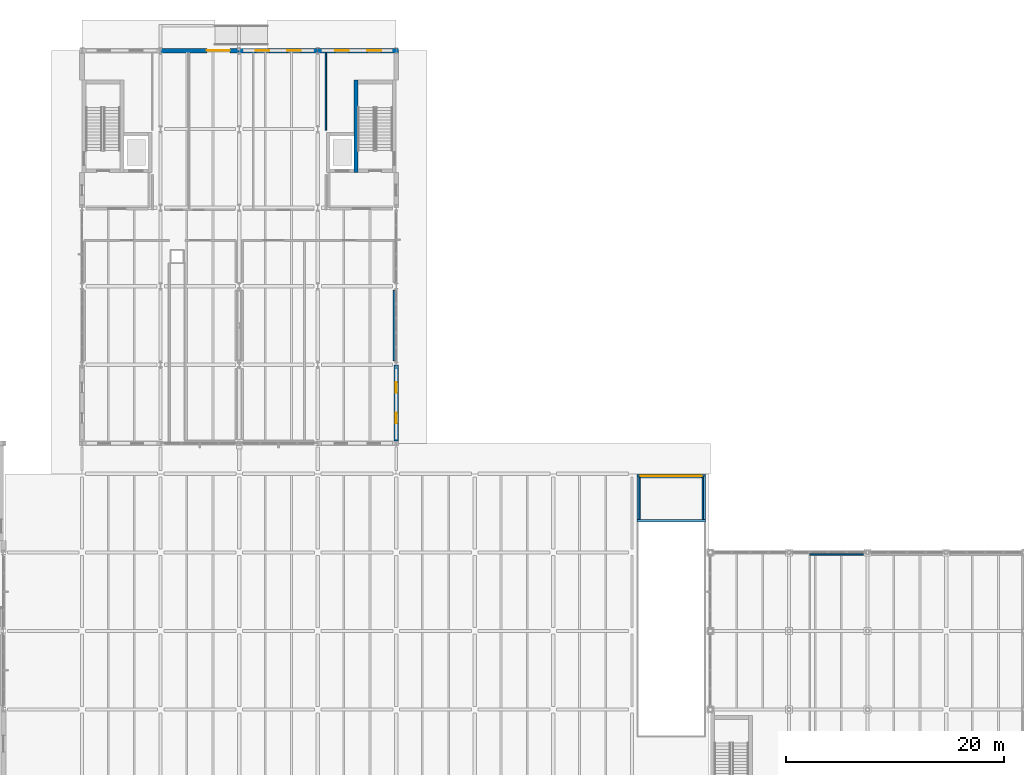
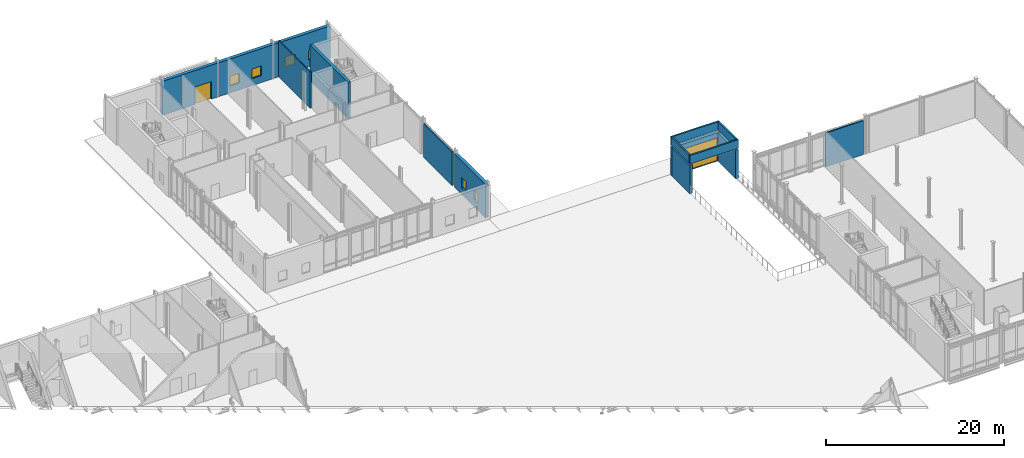
# One storey, part 69 of 89: 15 walls, 6 windows, 2 doors, 8 openings.
"""IFC4 building model written with IfcOpenShell, lengths in metres."""

import ifcopenshell
import ifcopenshell.guid

model = None  # the IFC model being written
_history = None  # IfcOwnerHistory: only IFC2X3 demands one
_inside = {}  # id of a spatial element -> (the spatial element, [elements in it])
_under = {}  # id of a project, library or spatial element -> (it, [spatial elements below it])
_declared = {}  # id of a project -> (the project, [libraries it declares])
_typed = {}  # id of a type object -> (the type object, [elements of that type])
_made_of = {}  # id of a material, layer set ... -> (it, [elements and type objects made of it])


def new_model(schema):
    """Start an empty IFC model of exactly this schema.

    Asked for "IFC4X3", IfcOpenShell would pick the latest addendum, in which some entities
    have other attributes; the version numbers below select the first issue.
    IFC2X3 requires an IfcOwnerHistory on every rooted entity: one is made here for all.
    """
    global model, _history
    if schema == "IFC4X3":
        model = ifcopenshell.file(schema_version=(4, 3, 0, 0))
    else:
        model = ifcopenshell.file(schema=schema)
    _inside.clear()
    _under.clear()
    _declared.clear()
    _typed.clear()
    _made_of.clear()
    _history = None
    if model.schema == "IFC2X3":
        org = make("IfcOrganization", Name="unknown")
        user = make(
            "IfcPersonAndOrganization",
            ThePerson=make("IfcPerson", FamilyName="unknown"),
            TheOrganization=org,
        )
        app = make(
            "IfcApplication",
            ApplicationDeveloper=org,
            Version="unknown",
            ApplicationFullName="unknown",
            ApplicationIdentifier="unknown",
        )
        _history = make(
            "IfcOwnerHistory",
            OwningUser=user,
            OwningApplication=app,
            ChangeAction="ADDED",
            CreationDate=0,
        )
    return model


def make(cls, **values):
    """One entity of the class cls with the attributes given. An attribute that is None is left unset."""
    return model.create_entity(
        cls, **{name: value for name, value in values.items() if value is not None}
    )


def rooted(cls, **values):
    """An entity with a GlobalId (a new one), such as an element, a storey or a relation."""
    return make(cls, GlobalId=ifcopenshell.guid.new(), OwnerHistory=_history, **values)


def si_unit(unit_type, name, prefix=None):
    """IfcSIUnit, for example si_unit("LENGTHUNIT", "METRE", prefix="MILLI")."""
    return make("IfcSIUnit", UnitType=unit_type, Prefix=prefix, Name=name)


def assignment(units):
    """IfcUnitAssignment: the units of a project."""
    return None if units is None else make("IfcUnitAssignment", Units=units)


def point(xyz):
    """IfcCartesianPoint."""
    return None if xyz is None else make("IfcCartesianPoint", Coordinates=xyz)


def direction(xyz):
    """IfcDirection."""
    return None if xyz is None else make("IfcDirection", DirectionRatios=xyz)


def frame(location, z_axis=None, x_axis=None):
    """IfcAxis2Placement3D, a coordinate frame: its origin and axes. An axis left out is left unset."""
    return make(
        "IfcAxis2Placement3D",
        Location=point(location),
        Axis=direction(z_axis),
        RefDirection=direction(x_axis),
    )


def frame_2d(location, x_axis=None):
    """IfcAxis2Placement2D, a coordinate frame in the plane: its origin and x axis."""
    return make(
        "IfcAxis2Placement2D", Location=point(location), RefDirection=direction(x_axis)
    )


def origin():
    """The frame at (0, 0, 0) with its axes left unset."""
    return frame((0.0, 0.0, 0.0))


def place(relative_to, where):
    """IfcLocalPlacement: puts the frame where relative to a parent placement (None: the world)."""
    return make(
        "IfcLocalPlacement", PlacementRelTo=relative_to, RelativePlacement=where
    )


def context(
    kind, dimensions, precision=None, world=None, true_north=None, identifier=None
):
    """IfcGeometricRepresentationContext, for example the 3D "Model" context."""
    return make(
        "IfcGeometricRepresentationContext",
        ContextIdentifier=identifier,
        ContextType=kind,
        CoordinateSpaceDimension=dimensions,
        Precision=precision,
        WorldCoordinateSystem=world,
        TrueNorth=true_north,
    )


def subcontext(parent, identifier, kind, view, scale=None):
    """IfcGeometricRepresentationSubContext, for example "Body" below "Model"."""
    return make(
        "IfcGeometricRepresentationSubContext",
        ContextIdentifier=identifier,
        ContextType=kind,
        ParentContext=parent,
        TargetScale=scale,
        TargetView=view,
    )


def project(units=None, contexts=None):
    """IfcProject with its units and contexts."""
    return rooted(
        "IfcProject",
        Name="project",
        RepresentationContexts=contexts,
        UnitsInContext=assignment(units),
    )


def spatial(cls, under=None, at=None, **own):
    """A site, building, storey or space (cls), placed at a placement, below another one or the project."""
    s = rooted(cls, ObjectPlacement=at, **own)
    if under is not None:
        _under.setdefault(under.id(), (under, []))[1].append(s)
    return s


def profile(cls, at=None, kind="AREA", **sizes):
    """A parametric profile (cls). Its sizes go by their IFC names, for example OverallWidth=200.0."""
    return make(cls, ProfileType=kind, Position=at, **sizes)


def rectangle(**sizes):
    """IfcRectangleProfileDef."""
    return profile("IfcRectangleProfileDef", **sizes)


def extrude(swept, where, along, depth):
    """IfcExtrudedAreaSolid: the profile swept, set in the frame where, extruded along a direction by depth."""
    return make(
        "IfcExtrudedAreaSolid",
        SweptArea=swept,
        Position=where,
        ExtrudedDirection=direction(along),
        Depth=depth,
    )


def shape(context_of_items, identifier, shape_type, items):
    """IfcShapeRepresentation: the items that make up one representation, for example the "Body"."""
    return make(
        "IfcShapeRepresentation",
        ContextOfItems=context_of_items,
        RepresentationIdentifier=identifier,
        RepresentationType=shape_type,
        Items=items,
    )


def material(Name=None, Category=None):
    """IfcMaterial."""
    return make("IfcMaterial", Name=Name, Category=Category)


def layer(
    of_material, thickness, ventilated=None, Name=None, Category=None, Priority=None
):
    """IfcMaterialLayer: one layer of a wall or slab, of a material (None: an air gap)."""
    return make(
        "IfcMaterialLayer",
        Material=of_material,
        LayerThickness=thickness,
        IsVentilated=ventilated,
        Name=Name,
        Category=Category,
        Priority=Priority,
    )


def layer_set(layers, Name=None):
    """IfcMaterialLayerSet."""
    return make("IfcMaterialLayerSet", MaterialLayers=layers, LayerSetName=Name)


def made_of(thing, what):
    """Note that an element or type object is made of a material, layer set ...; save() writes the relation."""
    if what is not None:
        _made_of.setdefault(what.id(), (what, []))[1].append(thing)
    return thing


def type_object(cls, material=None, **own):
    """A type object (cls), such as IfcWallType, which elements share."""
    return made_of(rooted(cls, **own), material)


def element(
    cls,
    number,
    at=None,
    inside=None,
    cuts=None,
    type_object=None,
    material=None,
    context=None,
    identifier="Body",
    shape_type=None,
    held_by="IfcProductDefinitionShape",
    body=None,
    shapes=None,
    **own,
):
    """One element of the class cls, such as IfcWall. Its Tag is "e" and its number.

    at: its placement. inside: the storey or other place that contains it. cuts: it is an
    opening in that element (IfcRelVoidsElement). A single representation is given by context,
    identifier, shape_type and body (its items); several are given by shapes. held_by: the class
    of the entity that holds the representations. save() writes the other relations.
    """
    e = rooted(cls, Tag="e%d" % number, ObjectPlacement=at, **own)
    if body is not None:
        shapes = [shape(context, identifier, shape_type, body)]
    if shapes is not None:
        e.Representation = make(held_by, Representations=shapes)
    if inside is not None:
        _inside.setdefault(inside.id(), (inside, []))[1].append(e)
    if cuts is not None:
        rooted(
            "IfcRelVoidsElement", RelatingBuildingElement=cuts, RelatedOpeningElement=e
        )
    if type_object is not None:
        _typed.setdefault(type_object.id(), (type_object, []))[1].append(e)
    return made_of(e, material)


def fill(opening, filler):
    """IfcRelFillsElement: the door or window that sits in an opening."""
    return rooted(
        "IfcRelFillsElement",
        RelatingOpeningElement=opening,
        RelatedBuildingElement=filler,
    )


def aggregate(whole, parts):
    """IfcRelAggregates: a whole, such as a stair, and the parts it consists of."""
    return rooted("IfcRelAggregates", RelatingObject=whole, RelatedObjects=parts)


def save(model, path):
    """Write the relations noted so far, then the file.

    IfcRelAggregates (storeys below a building ...), IfcRelContainedInSpatialStructure (elements
    in a storey), IfcRelDefinesByType, IfcRelAssociatesMaterial and IfcRelDeclares: one each for
    every whole, place, type object, material and project.
    """
    for whole, parts in _under.values():
        aggregate(whole, parts)
    for where, things in _inside.values():
        rooted(
            "IfcRelContainedInSpatialStructure",
            RelatedElements=things,
            RelatingStructure=where,
        )
    for kind, things in _typed.values():
        rooted("IfcRelDefinesByType", RelatedObjects=things, RelatingType=kind)
    for what, things in _made_of.values():
        rooted("IfcRelAssociatesMaterial", RelatedObjects=things, RelatingMaterial=what)
    for by, libraries in _declared.values():
        rooted("IfcRelDeclares", RelatingContext=by, RelatedDefinitions=libraries)
    model.write(path)


model = new_model("IFC4")

# Units and contexts
model_context = context("Model", 3, precision=1e-05, world=origin(), true_north=direction((0.0, 1.0)))
body_context = subcontext(model_context, "Body", "Model", "MODEL_VIEW")
ifc_project = project(units=[si_unit("LENGTHUNIT", "METRE"), si_unit("AREAUNIT", "SQUARE_METRE"), si_unit("VOLUMEUNIT", "CUBIC_METRE"), si_unit("PLANEANGLEUNIT", "RADIAN"), si_unit("MASSUNIT", "GRAM", prefix="KILO")], contexts=[model_context])

# Site, building, storey
site_placement = place(None, origin())
site = spatial("IfcSite", under=ifc_project, at=site_placement, CompositionType="ELEMENT")
building_placement = place(site_placement, origin())
building = spatial("IfcBuilding", under=site, at=building_placement, Name="Zarrinpeak Specialist Clinic", CompositionType="ELEMENT")
storey_placement = place(building_placement, origin())
storey = spatial("IfcBuildingStorey", under=building, at=storey_placement, Name="L00", CompositionType="ELEMENT", Elevation=0.0)

# Walls
ifc_material_1 = material(Name="Concrete C40/50", Category="concrete")
ifc_layer_1 = layer(ifc_material_1, 0.35009765625)
ifc_layer_set_1 = layer_set([ifc_layer_1], Name="Concrete C40/50")
wall_type_1 = type_object("IfcWallType", Name="WL-CR350", PredefinedType="SHEAR", material=ifc_layer_set_1)
wall_1_placement = place(storey_placement, frame((61.125, 106.800048828125, 0.0), z_axis=(0.0, 0.0, 1.0), x_axis=(0.0, 1.0, 0.0)))
element("IfcWall", 1, at=wall_1_placement, inside=storey, type_object=wall_type_1, Name="L00 Core C12 Shear Wall STW", PredefinedType="SHEAR", context=body_context, shape_type="SweptSolid", body=[
    extrude(rectangle(XDim=8.5, YDim=0.35009765625, at=frame_2d((4.25, 0.0))), origin(), (0.0, 0.0, 1.0), 4.969970703125),
])
ifc_material_2 = material(Name="Precast concrete C40/50", Category="concrete")
ifc_layer_2 = layer(ifc_material_2, 0.340087890625)
ifc_layer_set_2 = layer_set([ifc_layer_2], Name="Precast concrete C40/50")
wall_type_2 = type_object("IfcWallType", Name="WL-EW340", PredefinedType="STANDARD", material=ifc_layer_set_2)
for number, where, z_axis, x_axis, name in (
    (2, (87.02490234375, 74.800048828125, 0.0), (0.0, 0.0, 1.0), (0.0, 1.0, 0.0), "Vehicle Ramp Headhouse West Wall"),
    (3, (92.97509765625, 74.800048828125, 0.0), (0.0, 0.0, 1.0), (0.0, 1.0, 0.0), "Vehicle Ramp Headhouse East Wall"),
):
    element("IfcWall", number, at=place(storey_placement, frame(where, z_axis=z_axis, x_axis=x_axis)), inside=storey, type_object=wall_type_2, Name=name, PredefinedType="STANDARD", context=body_context, shape_type="SweptSolid", body=[
        extrude(rectangle(XDim=4.010009765625, YDim=0.340087890625, at=frame_2d((2.0048828125, 0.0))), origin(), (0.0, 0.0, 1.0), 3.89990234375),
    ])

# Wall, opening, door
ifc_layer_3 = layer(ifc_material_2, 0.3798828125)
ifc_layer_set_3 = layer_set([ifc_layer_3], Name="Precast concrete C40/50")
wall_type_3 = type_object("IfcWallType", Name="WL-EW380", PredefinedType="STANDARD", material=ifc_layer_set_3)
wall_2_placement = place(storey_placement, frame((86.85498046875, 79.0, 0.0), z_axis=(0.0, 0.0, 1.0), x_axis=(1.0, 0.0, 0.0)))
wall_2 = element("IfcWall", 4, at=wall_2_placement, inside=storey, type_object=wall_type_3, Name="Vehicle Ramp Headhouse North Shutter Portal Wall", PredefinedType="STANDARD", context=body_context, shape_type="SweptSolid", body=[
    extrude(rectangle(XDim=6.2900390625, YDim=0.3798828125, at=frame_2d((3.14501953125, 0.0))), origin(), (0.0, 0.0, 1.0), 3.89990234375),
])
opening_1_placement = place(wall_2_placement, frame((0.344970703125, 0.0, 0.0)))
opening_1 = element("IfcOpeningElement", 5, at=opening_1_placement, cuts=wall_2, Name="Opening D-SH01", PredefinedType="OPENING", context=body_context, shape_type="SweptSolid", body=[
    extrude(rectangle(XDim=5.60009765625, YDim=3.199951171875, at=frame_2d((2.800048828125, 1.60009765625))), frame((0.0, 0.199951171875, 0.0), z_axis=(0.0, -1.0, 0.0), x_axis=(1.0, 0.0, 0.0)), (0.0, 0.0, 1.0), 0.39990234375),
])
ifc_material_3 = material(Name="Powder-Coated Steel and Safety Glazing", Category="steel")
door_type_1 = type_object("IfcDoorType", Name="DR-SH600", OperationType="ROLLINGUP", PredefinedType="DOOR", material=ifc_material_3)
door_1_placement = place(opening_1_placement, origin())
door_1 = element("IfcDoor", 6, at=door_1_placement, inside=storey, type_object=door_type_1, Name="Basement Car-Park Motorised Roller Shutter Gate D-SH01", OperationType="ROLLINGUP", OverallHeight=3.199951171875, OverallWidth=5.60009765625, PredefinedType="DOOR", context=body_context, shape_type="SweptSolid", body=[
    extrude(rectangle(XDim=5.60009765625, YDim=3.199951171875, at=frame_2d((2.800048828125, 1.60009765625))), frame((0.0, 0.02490234375, 0.0), z_axis=(0.0, -1.0, 0.0), x_axis=(1.0, 0.0, 0.0)), (0.0, 0.0, 1.0), 0.050048828125),
])
fill(opening_1, door_1)

ifc_layer_4 = layer(ifc_material_2, 0.419921875)
ifc_layer_set_4 = layer_set([ifc_layer_4], Name="Precast concrete C40/50")
wall_type_4 = type_object("IfcWallType", Name="WL-EW420", PredefinedType="STANDARD", material=ifc_layer_set_4)
wall_3_placement = place(storey_placement, frame((50.39990234375, 118.0, 0.0), z_axis=(0.0, 0.0, 1.0), x_axis=(-1.0, 0.0, 0.0)))
wall_3 = element("IfcWall", 7, at=wall_3_placement, inside=storey, type_object=wall_type_4, Name="L00 V6 Exterior GRC Wall EW-L00-V6-0268", PredefinedType="STANDARD", context=body_context, shape_type="SweptSolid", body=[
    extrude(rectangle(XDim=7.199951171875, YDim=0.419921875, at=frame_2d((3.60009765625, 0.0))), origin(), (0.0, 0.0, 1.0), 4.6650390625),
])
opening_2_placement = place(wall_3_placement, frame((0.85009765625, 0.0, 0.0)))
opening_2 = element("IfcOpeningElement", 8, at=opening_2_placement, cuts=wall_3, Name="Opening D-E02", PredefinedType="OPENING", context=body_context, shape_type="SweptSolid", body=[
    extrude(rectangle(XDim=2.10009765625, YDim=2.39990234375, at=frame_2d((1.050048828125, 1.199951171875))), frame((0.0, 0.219970703125, 0.0), z_axis=(0.0, -1.0, 0.0), x_axis=(1.0, 0.0, 0.0)), (0.0, 0.0, 1.0), 0.43994140625),
])
door_type_2 = type_object("IfcDoorType", Name="DR-ENT210", OperationType="DOUBLE_DOOR_SINGLE_SWING", PredefinedType="DOOR", material=ifc_material_3)
door_2_placement = place(opening_2_placement, origin())
door_2 = element("IfcDoor", 9, at=door_2_placement, inside=storey, type_object=door_type_2, Name="V6 North Boulevard Research Entrance", OperationType="DOUBLE_DOOR_SINGLE_SWING", OverallHeight=2.39990234375, OverallWidth=2.10009765625, PredefinedType="DOOR", context=body_context, shape_type="SweptSolid", body=[
    extrude(rectangle(XDim=2.10009765625, YDim=2.39990234375, at=frame_2d((1.050048828125, 1.199951171875))), frame((0.0, 0.02490234375, 0.0), z_axis=(0.0, -1.0, 0.0), x_axis=(1.0, 0.0, 0.0)), (0.0, 0.0, 1.0), 0.050048828125),
])
fill(opening_2, door_2)

# Wall, openings, windows
wall_4_placement = place(storey_placement, frame((57.60009765625, 118.0, 0.0), z_axis=(0.0, 0.0, 1.0), x_axis=(-1.0, 0.0, 0.0)))
wall_4 = element("IfcWall", 10, at=wall_4_placement, inside=storey, type_object=wall_type_4, Name="L00 V6 Exterior GRC Wall EW-L00-V6-0269", PredefinedType="STANDARD", context=body_context, shape_type="SweptSolid", body=[
    extrude(rectangle(XDim=7.2001953125, YDim=0.419921875, at=frame_2d((3.60009765625, 0.0))), origin(), (0.0, 0.0, 1.0), 4.6650390625),
])
opening_3_placement = place(wall_4_placement, frame((1.54296875, 0.0, 0.949951171875)))
opening_3 = element("IfcOpeningElement", 11, at=opening_3_placement, cuts=wall_4, Name="Opening WS-38", PredefinedType="OPENING", context=body_context, shape_type="SweptSolid", body=[
    extrude(rectangle(XDim=1.23388671875, YDim=1.33203125, at=frame_2d((0.616943359375, 0.666015625))), frame((0.0, 0.219970703125, 0.0), z_axis=(0.0, -1.0, 0.0), x_axis=(1.0, 0.0, 0.0)), (0.0, 0.0, 1.0), 0.43994140625),
])
opening_4_placement = place(wall_4_placement, frame((4.423095703125, 0.0, 0.949951171875)))
opening_4 = element("IfcOpeningElement", 12, at=opening_4_placement, cuts=wall_4, Name="Opening WS-38", PredefinedType="OPENING", context=body_context, shape_type="SweptSolid", body=[
    extrude(rectangle(XDim=1.23388671875, YDim=1.33203125, at=frame_2d((0.616943359375, 0.666015625))), frame((0.0, 0.219970703125, 0.0), z_axis=(0.0, -1.0, 0.0), x_axis=(1.0, 0.0, 0.0)), (0.0, 0.0, 1.0), 0.43994140625),
])
ifc_material_4 = material(Name="Thermally Broken Aluminium and Low-E Glazing", Category="aluminium")
window_type_1 = type_object("IfcWindowType", Name="WN-SP38", PartitioningType="SINGLE_PANEL", PredefinedType="WINDOW", material=ifc_material_4)
window_1_placement = place(opening_3_placement, origin())
window_1 = element("IfcWindow", 13, at=window_1_placement, inside=storey, type_object=window_type_1, Name="L00 Modular Facade Window WN-L00-0301", OverallHeight=1.33203125, OverallWidth=1.23388671875, PartitioningType="SINGLE_PANEL", PredefinedType="WINDOW", context=body_context, shape_type="SweptSolid", body=[
    extrude(rectangle(XDim=1.23388671875, YDim=1.33203125, at=frame_2d((0.616943359375, 0.666015625))), frame((0.0, 0.030029296875, 0.0), z_axis=(0.0, -1.0, 0.0), x_axis=(1.0, 0.0, 0.0)), (0.0, 0.0, 1.0), 0.06005859375),
])
fill(opening_3, window_1)
window_2_placement = place(opening_4_placement, origin())
window_2 = element("IfcWindow", 14, at=window_2_placement, inside=storey, type_object=window_type_1, Name="L00 Modular Facade Window WN-L00-0302", OverallHeight=1.33203125, OverallWidth=1.23388671875, PartitioningType="SINGLE_PANEL", PredefinedType="WINDOW", context=body_context, shape_type="SweptSolid", body=[
    extrude(rectangle(XDim=1.23388671875, YDim=1.33203125, at=frame_2d((0.616943359375, 0.666015625))), frame((0.0, 0.030029296875, 0.0), z_axis=(0.0, -1.0, 0.0), x_axis=(1.0, 0.0, 0.0)), (0.0, 0.0, 1.0), 0.06005859375),
])
fill(opening_4, window_2)

wall_5_placement = place(storey_placement, frame((65.010009765625, 118.0, 0.0), z_axis=(0.0, 0.0, 1.0), x_axis=(-1.0, 0.0, 0.0)))
wall_5 = element("IfcWall", 15, at=wall_5_placement, inside=storey, type_object=wall_type_4, Name="L00 V6 Exterior GRC Wall EW-L00-V6-0270", PredefinedType="STANDARD", context=body_context, shape_type="SweptSolid", body=[
    extrude(rectangle(XDim=7.409912109375, YDim=0.419921875, at=frame_2d((3.705078125, 0.0))), origin(), (0.0, 0.0, 1.0), 4.6650390625),
])
opening_5_placement = place(wall_5_placement, frame((1.589111328125, 0.0, 0.949951171875)))
opening_5 = element("IfcOpeningElement", 16, at=opening_5_placement, cuts=wall_5, Name="Opening WS-39", PredefinedType="OPENING", context=body_context, shape_type="SweptSolid", body=[
    extrude(rectangle(XDim=1.26806640625, YDim=1.33203125, at=frame_2d((0.634033203125, 0.666015625))), frame((0.0, 0.219970703125, 0.0), z_axis=(0.0, -1.0, 0.0), x_axis=(1.0, 0.0, 0.0)), (0.0, 0.0, 1.0), 0.43994140625),
])
opening_6_placement = place(wall_5_placement, frame((4.552978515625, 0.0, 0.949951171875)))
opening_6 = element("IfcOpeningElement", 17, at=opening_6_placement, cuts=wall_5, Name="Opening WS-39", PredefinedType="OPENING", context=body_context, shape_type="SweptSolid", body=[
    extrude(rectangle(XDim=1.26806640625, YDim=1.33203125, at=frame_2d((0.634033203125, 0.666015625))), frame((0.0, 0.219970703125, 0.0), z_axis=(0.0, -1.0, 0.0), x_axis=(1.0, 0.0, 0.0)), (0.0, 0.0, 1.0), 0.43994140625),
])
window_type_2 = type_object("IfcWindowType", Name="WN-SP39", PartitioningType="SINGLE_PANEL", PredefinedType="WINDOW", material=ifc_material_4)
window_3_placement = place(opening_5_placement, origin())
window_3 = element("IfcWindow", 18, at=window_3_placement, inside=storey, type_object=window_type_2, Name="L00 Modular Facade Window WN-L00-0303", OverallHeight=1.33203125, OverallWidth=1.26806640625, PartitioningType="SINGLE_PANEL", PredefinedType="WINDOW", context=body_context, shape_type="SweptSolid", body=[
    extrude(rectangle(XDim=1.26806640625, YDim=1.33203125, at=frame_2d((0.634033203125, 0.666015625))), frame((0.0, 0.030029296875, 0.0), z_axis=(0.0, -1.0, 0.0), x_axis=(1.0, 0.0, 0.0)), (0.0, 0.0, 1.0), 0.06005859375),
])
fill(opening_5, window_3)
window_4_placement = place(opening_6_placement, origin())
window_4 = element("IfcWindow", 19, at=window_4_placement, inside=storey, type_object=window_type_2, Name="L00 Modular Facade Window WN-L00-0304", OverallHeight=1.33203125, OverallWidth=1.26806640625, PartitioningType="SINGLE_PANEL", PredefinedType="WINDOW", context=body_context, shape_type="SweptSolid", body=[
    extrude(rectangle(XDim=1.26806640625, YDim=1.33203125, at=frame_2d((0.634033203125, 0.666015625))), frame((0.0, 0.030029296875, 0.0), z_axis=(0.0, -1.0, 0.0), x_axis=(1.0, 0.0, 0.0)), (0.0, 0.0, 1.0), 0.06005859375),
])
fill(opening_6, window_4)

wall_6_placement = place(storey_placement, frame((64.800048828125, 82.2099609375, 0.0), z_axis=(0.0, 0.0, 1.0), x_axis=(0.0, 1.0, 0.0)))
wall_6 = element("IfcWall", 20, at=wall_6_placement, inside=storey, type_object=wall_type_4, Name="L00 V6 Exterior GRC Wall EW-L00-V6-0274", PredefinedType="STANDARD", context=body_context, shape_type="SweptSolid", body=[
    extrude(rectangle(XDim=6.989990234375, YDim=0.419921875, at=frame_2d((3.4951171875, 0.0))), origin(), (0.0, 0.0, 1.0), 4.594970703125),
])
opening_7_placement = place(wall_6_placement, frame((1.615966796875, 0.0, 0.949951171875)))
opening_7 = element("IfcOpeningElement", 21, at=opening_7_placement, cuts=wall_6, Name="Opening WS-43", PredefinedType="OPENING", context=body_context, shape_type="SweptSolid", body=[
    extrude(rectangle(XDim=0.9619140625, YDim=1.367919921875, at=frame_2d((0.48095703125, 0.68408203125))), frame((0.0, 0.219970703125, 0.0), z_axis=(0.0, -1.0, 0.0), x_axis=(1.0, 0.0, 0.0)), (0.0, 0.0, 1.0), 0.43994140625),
])
opening_8_placement = place(wall_6_placement, frame((4.412109375, 0.0, 0.949951171875)))
opening_8 = element("IfcOpeningElement", 22, at=opening_8_placement, cuts=wall_6, Name="Opening WS-43", PredefinedType="OPENING", context=body_context, shape_type="SweptSolid", body=[
    extrude(rectangle(XDim=0.9619140625, YDim=1.367919921875, at=frame_2d((0.48095703125, 0.68408203125))), frame((0.0, 0.219970703125, 0.0), z_axis=(0.0, -1.0, 0.0), x_axis=(1.0, 0.0, 0.0)), (0.0, 0.0, 1.0), 0.43994140625),
])
window_type_3 = type_object("IfcWindowType", Name="WN-SP43", PartitioningType="SINGLE_PANEL", PredefinedType="WINDOW", material=ifc_material_4)
window_5_placement = place(opening_7_placement, origin())
window_5 = element("IfcWindow", 23, at=window_5_placement, inside=storey, type_object=window_type_3, Name="L00 Modular Facade Window WN-L00-0308", OverallHeight=1.367919921875, OverallWidth=0.9619140625, PartitioningType="SINGLE_PANEL", PredefinedType="WINDOW", context=body_context, shape_type="SweptSolid", body=[
    extrude(rectangle(XDim=0.9619140625, YDim=1.367919921875, at=frame_2d((0.48095703125, 0.68408203125))), frame((0.0, 0.030029296875, 0.0), z_axis=(0.0, -1.0, 0.0), x_axis=(1.0, 0.0, 0.0)), (0.0, 0.0, 1.0), 0.06005859375),
])
fill(opening_7, window_5)
window_6_placement = place(opening_8_placement, origin())
window_6 = element("IfcWindow", 24, at=window_6_placement, inside=storey, type_object=window_type_3, Name="L00 Modular Facade Window WN-L00-0309", OverallHeight=1.367919921875, OverallWidth=0.9619140625, PartitioningType="SINGLE_PANEL", PredefinedType="WINDOW", context=body_context, shape_type="SweptSolid", body=[
    extrude(rectangle(XDim=0.9619140625, YDim=1.367919921875, at=frame_2d((0.48095703125, 0.68408203125))), frame((0.0, 0.030029296875, 0.0), z_axis=(0.0, -1.0, 0.0), x_axis=(1.0, 0.0, 0.0)), (0.0, 0.0, 1.0), 0.06005859375),
])
fill(opening_8, window_6)

# Walls
ifc_material_5 = material(Name="Acoustic Consultation Stud Partition", Category="gypsum")
ifc_layer_5 = layer(ifc_material_5, 0.14208984375)
ifc_layer_set_5 = layer_set([ifc_layer_5], Name="Acoustic Consultation Stud Partition")
wall_type_5 = type_object("IfcWallType", Name="WL-IW142", PredefinedType="PARTITIONING", material=ifc_layer_set_5)
wall_7_placement = place(storey_placement, frame((58.35009765625, 110.675048828125, 0.0), z_axis=(0.0, 0.0, 1.0), x_axis=(0.0, 1.0, 0.0)))
element("IfcWall", 25, at=wall_7_placement, inside=storey, type_object=wall_type_5, Name="L00 Symposium Foyer Concourse Dividing Partition", PredefinedType="PARTITIONING", context=body_context, shape_type="SweptSolid", body=[
    extrude(rectangle(XDim=7.125, YDim=0.14208984375, at=frame_2d((3.5625, 0.0))), origin(), (0.0, 0.0, 1.0), 4.969970703125),
])
ifc_material_6 = material(Name="Insulated Clinical Gypsum Stud Partition", Category="gypsum")
ifc_layer_6 = layer(ifc_material_6, 0.14990234375)
ifc_layer_set_6 = layer_set([ifc_layer_6], Name="Insulated Clinical Gypsum Stud Partition")
wall_type_6 = type_object("IfcWallType", Name="WL-IW150", PredefinedType="PARTITIONING", material=ifc_layer_set_6)
wall_8_placement = place(storey_placement, frame((102.699951171875, 71.800048828125, 0.0), z_axis=(0.0, 0.0, 1.0), x_axis=(1.0, 0.0, 0.0)))
element("IfcWall", 26, at=wall_8_placement, inside=storey, type_object=wall_type_6, Name="L00 Therapeutic Winterhouse Hall Partition", PredefinedType="PARTITIONING", context=body_context, shape_type="SweptSolid", body=[
    extrude(rectangle(XDim=4.920166015625, YDim=0.14990234375, at=frame_2d((2.4599609375, 0.0))), origin(), (0.0, 0.0, 1.0), 4.6650390625),
])
ifc_material_7 = material(Name="Acoustic Double Gypsum Stud Partition", Category="gypsum")
ifc_layer_7 = layer(ifc_material_7, 0.159912109375)
ifc_layer_set_7 = layer_set([ifc_layer_7], Name="Acoustic Double Gypsum Stud Partition")
wall_type_7 = type_object("IfcWallType", Name="WL-IW160", PredefinedType="PARTITIONING", material=ifc_layer_set_7)
wall_9_placement = place(storey_placement, frame((64.60009765625, 89.580078125, 0.0), z_axis=(0.0, 0.0, 1.0), x_axis=(0.0, 1.0, 0.0)))
element("IfcWall", 27, at=wall_9_placement, inside=storey, type_object=wall_type_7, Name="L00 Specialist Consultation Room 2 Dividing Partition", PredefinedType="PARTITIONING", context=body_context, shape_type="SweptSolid", body=[
    extrude(rectangle(XDim=6.43994140625, YDim=0.159912109375, at=frame_2d((3.219970703125, 0.0))), origin(), (0.0, 0.0, 1.0), 4.594970703125),
])
ifc_layer_8 = layer(ifc_material_2, 0.199951171875)
ifc_layer_set_8 = layer_set([ifc_layer_8], Name="Precast concrete C40/50")
wall_type_8 = type_object("IfcWallType", Name="WL-PAR200", PredefinedType="PARAPET", material=ifc_layer_set_8)
for number, where, z_axis, x_axis, name in (
    (28, (86.85498046875, 74.89990234375, 4.090087890625), (0.0, 0.0, 1.0), (1.0, 0.0, 0.0), "Vehicle Ramp Headhouse Roof Parapet 1"),
    (29, (86.85498046875, 79.090087890625, 4.090087890625), (0.0, 0.0, 1.0), (1.0, 0.0, 0.0), "Vehicle Ramp Headhouse Roof Parapet 2"),
):
    element("IfcWall", number, at=place(storey_placement, frame(where, z_axis=z_axis, x_axis=x_axis)), inside=storey, type_object=wall_type_8, Name=name, PredefinedType="PARAPET", context=body_context, shape_type="SweptSolid", body=[
        extrude(rectangle(XDim=6.2900390625, YDim=0.199951171875, at=frame_2d((3.14501953125, 0.0))), origin(), (0.0, 0.0, 1.0), 1.159912109375),
    ])
for number, where, z_axis, x_axis, name in (
    (30, (86.955078125, 75.0, 4.090087890625), (0.0, 0.0, 1.0), (0.0, 1.0, 0.0), "Vehicle Ramp Headhouse Roof Parapet 3"),
    (31, (93.044921875, 75.0, 4.090087890625), (0.0, 0.0, 1.0), (0.0, 1.0, 0.0), "Vehicle Ramp Headhouse Roof Parapet 4"),
):
    element("IfcWall", number, at=place(storey_placement, frame(where, z_axis=z_axis, x_axis=x_axis)), inside=storey, type_object=wall_type_8, Name=name, PredefinedType="PARAPET", context=body_context, shape_type="SweptSolid", body=[
        extrude(rectangle(XDim=3.989990234375, YDim=0.199951171875, at=frame_2d((1.9951171875, 0.0))), origin(), (0.0, 0.0, 1.0), 1.159912109375),
    ])

save(model, "model.ifc")
